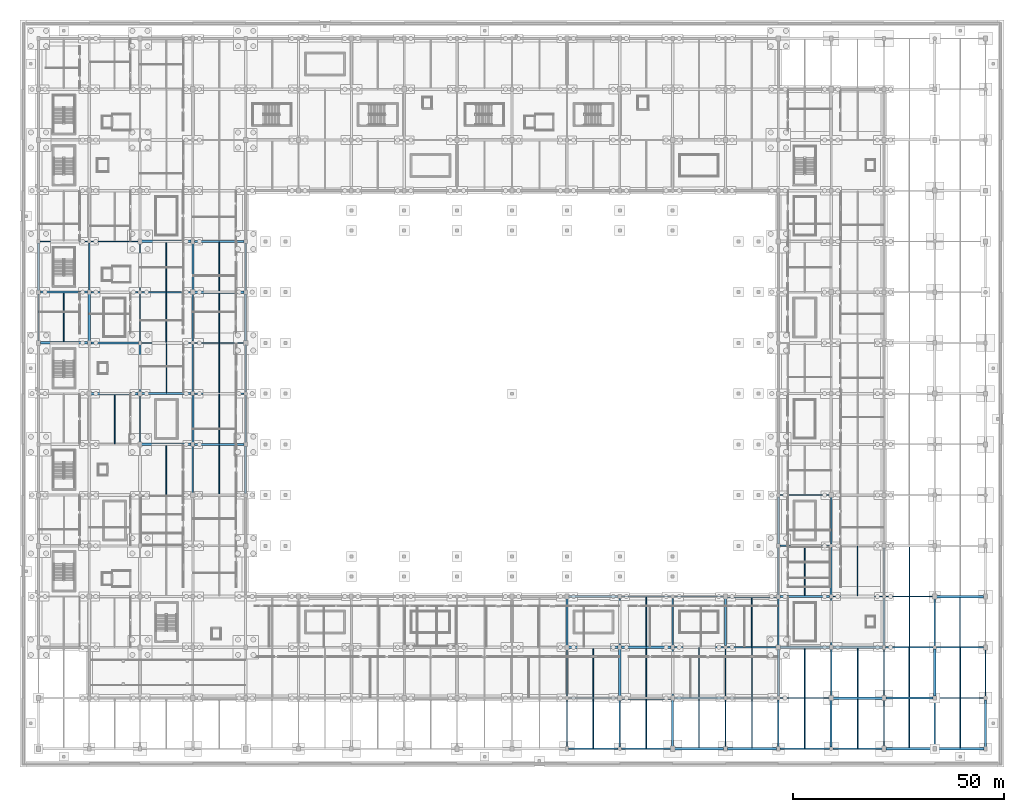
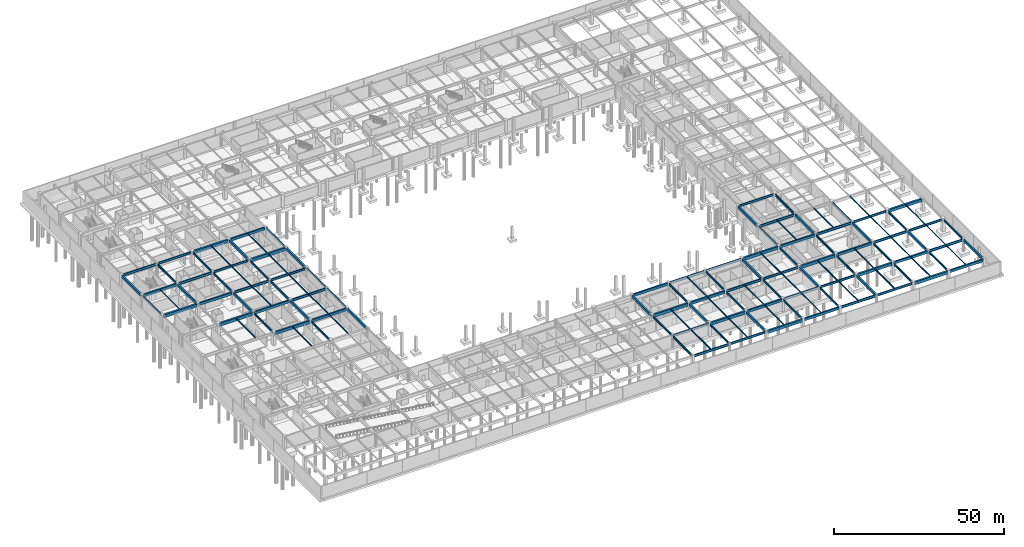
# One storey, part 17 of 56: 134 beams.
"""IFC4 building model written with IfcOpenShell, lengths in metres."""

from ifc_helpers import new_model, si_unit, direction, frame, origin, origin_2d, place, context, subcontext, project, spatial, rectangle, i_section, extrude, material, material_profile, profile_set, type_object, element, save


model = new_model("IFC4")

# Units and contexts
model_context = context("Model", 3, precision=1e-05, world=origin(), true_north=direction((0.0, 1.0)))
body_context = subcontext(model_context, "Body", "Model", "MODEL_VIEW")
ifc_project = project(units=[si_unit("LENGTHUNIT", "METRE"), si_unit("AREAUNIT", "SQUARE_METRE"), si_unit("VOLUMEUNIT", "CUBIC_METRE"), si_unit("PLANEANGLEUNIT", "RADIAN"), si_unit("MASSUNIT", "GRAM", prefix="KILO")], contexts=[model_context])

# Site, building, storey
site_placement = place(None, origin())
site = spatial("IfcSite", under=ifc_project, at=site_placement, CompositionType="ELEMENT")
building_placement = place(site_placement, origin())
building = spatial("IfcBuilding", under=site, at=building_placement, Name="Kazenohara Klinker Stadium", CompositionType="ELEMENT")
storey_placement = place(building_placement, frame((0.0, 0.0, -4.800048828125)))
storey = spatial("IfcBuildingStorey", under=building, at=storey_placement, Name="B01", CompositionType="ELEMENT", Elevation=-4.800048828125)

# Beams
ifc_material_1 = material(Name="Steel S355", Category="steel")
ifc_material_profile_1 = material_profile(ifc_material_1, i_section(OverallWidth=0.199951171875, OverallDepth=0.5, WebThickness=0.010009765625, FlangeThickness=0.01611328125, FilletRadius=0.012939453125, at=origin_2d()), Name="H-500x200x10x16")
ifc_profile_set_1 = profile_set([ifc_material_profile_1], Name="Steel S355")
beam_type_1 = type_object("IfcBeamType", Name="BM-JST01", PredefinedType="JOIST", material=ifc_profile_set_1)
for number, where, z_axis, x_axis, name in (
    (1, (30.25, 96.14990234375, 4.2099609375), (0.0, 1.0, 0.0), (-1.0, 0.0, 0.0), "Secondary floor joist SJ01 B01 3/J"),
    (2, (42.75, 84.14990234375, 4.2099609375), (0.0, 1.0, 0.0), (-1.0, 0.0, 0.0), "Secondary floor joist SJ01 B01 4/H"),
    (3, (131.25, 0.14990234375, 4.2099609375), (0.0, 1.0, 0.0), (-1.0, 0.0, 0.0), "Secondary floor joist SJ01 B01 11/A"),
):
    element("IfcBeam", number, at=place(storey_placement, frame(where, z_axis=z_axis, x_axis=x_axis)), inside=storey, type_object=beam_type_1, Name=name, PredefinedType="JOIST", context=body_context, shape_type="SweptSolid", body=[
        extrude(i_section(OverallWidth=0.199951171875, OverallDepth=0.5, WebThickness=0.010009765625, FlangeThickness=0.01611328125, FilletRadius=0.012939453125, at=origin_2d()), origin(), (0.0, 0.0, 1.0), 11.7001953125),
    ])
for number, where, z_axis, x_axis, name in (
    (4, (168.75, 24.14990234375, 4.2099609375), (0.0, 1.0, 0.0), (-1.0, 0.0, 0.0), "Secondary floor joist SJ01 B01 14/C"),
    (5, (181.25, 12.14990234375, 4.2099609375), (0.0, 1.0, 0.0), (-1.0, 0.0, 0.0), "Secondary floor joist SJ01 B01 15/B"),
    (6, (193.75, 0.14990234375, 4.2099609375), (0.0, 1.0, 0.0), (-1.0, 0.0, 0.0), "Secondary floor joist SJ01 B01 16/A"),
):
    element("IfcBeam", number, at=place(storey_placement, frame(where, z_axis=z_axis, x_axis=x_axis)), inside=storey, type_object=beam_type_1, Name=name, PredefinedType="JOIST", context=body_context, shape_type="SweptSolid", body=[
        extrude(i_section(OverallWidth=0.199951171875, OverallDepth=0.5, WebThickness=0.010009765625, FlangeThickness=0.01611328125, FilletRadius=0.012939453125, at=origin_2d()), origin(), (0.0, 0.0, 1.0), 11.550048828125),
    ])
ifc_material_profile_2 = material_profile(ifc_material_1, i_section(OverallWidth=0.199951171875, OverallDepth=0.449951171875, WebThickness=0.009033203125, FlangeThickness=0.013916015625, FilletRadius=0.012939453125, at=origin_2d()), Name="H-450x200x9x14")
ifc_profile_set_2 = profile_set([ifc_material_profile_2], Name="Steel S355")
beam_type_2 = type_object("IfcBeamType", Name="BM-JST02", PredefinedType="JOIST", material=ifc_profile_set_2)
for number, where, z_axis, x_axis, name in (
    (7, (30.25, 108.14990234375, 4.235107421875), (0.0, 1.0, 0.0), (-1.0, 0.0, 0.0), "Secondary floor joist SJ02 B01 3/K"),
    (8, (42.75, 96.14990234375, 4.235107421875), (0.0, 1.0, 0.0), (-1.0, 0.0, 0.0), "Secondary floor joist SJ02 B01 4/J"),
    (9, (131.25, 12.14990234375, 4.235107421875), (0.0, 1.0, 0.0), (-1.0, 0.0, 0.0), "Secondary floor joist SJ02 B01 11/B"),
    (10, (143.75, 0.14990234375, 4.235107421875), (0.0, 1.0, 0.0), (-1.0, 0.0, 0.0), "Secondary floor joist SJ02 B01 12/A"),
):
    element("IfcBeam", number, at=place(storey_placement, frame(where, z_axis=z_axis, x_axis=x_axis)), inside=storey, type_object=beam_type_2, Name=name, PredefinedType="JOIST", context=body_context, shape_type="SweptSolid", body=[
        extrude(i_section(OverallWidth=0.199951171875, OverallDepth=0.449951171875, WebThickness=0.009033203125, FlangeThickness=0.013916015625, FilletRadius=0.012939453125, at=origin_2d()), origin(), (0.0, 0.0, 1.0), 11.550048828125),
    ])
for number, where, z_axis, x_axis, name in (
    (11, (193.75, 12.300048828125, 4.235107421875), (0.0, 1.0, 0.0), (-1.0, 0.0, 0.0), "Secondary floor joist SJ02 B01 16/B"),
    (12, (206.0, 0.300048828125, 4.235107421875), (0.0, 1.0, 0.0), (-1.0, 0.0, 0.0), "Secondary floor joist SJ02 B01 17/A"),
):
    element("IfcBeam", number, at=place(storey_placement, frame(where, z_axis=z_axis, x_axis=x_axis)), inside=storey, type_object=beam_type_2, Name=name, PredefinedType="JOIST", context=body_context, shape_type="SweptSolid", body=[
        extrude(i_section(OverallWidth=0.199951171875, OverallDepth=0.449951171875, WebThickness=0.009033203125, FlangeThickness=0.013916015625, FilletRadius=0.012939453125, at=origin_2d()), origin(), (0.0, 0.0, 1.0), 11.449951171875),
    ])
ifc_material_profile_3 = material_profile(ifc_material_1, i_section(OverallWidth=0.199951171875, OverallDepth=0.39990234375, WebThickness=0.008056640625, FlangeThickness=0.012939453125, FilletRadius=0.012939453125, at=origin_2d()), Name="H-400x200x8x13")
ifc_profile_set_3 = profile_set([ifc_material_profile_3], Name="Steel S355")
beam_type_3 = type_object("IfcBeamType", Name="BM-JST03", PredefinedType="JOIST", material=ifc_profile_set_3)
for number, where, z_axis, x_axis, name in (
    (13, (18.0, 72.14990234375, 4.260009765625), (0.0, 1.0, 0.0), (-1.0, 0.0, 0.0), "Secondary floor joist SJ03 B01 2/G"),
    (14, (30.25, 60.14990234375, 4.260009765625), (0.0, 1.0, 0.0), (-1.0, 0.0, 0.0), "Secondary floor joist SJ03 B01 3/F"),
):
    element("IfcBeam", number, at=place(storey_placement, frame(where, z_axis=z_axis, x_axis=x_axis)), inside=storey, type_object=beam_type_3, Name=name, PredefinedType="JOIST", context=body_context, shape_type="SweptSolid", body=[
        extrude(i_section(OverallWidth=0.199951171875, OverallDepth=0.39990234375, WebThickness=0.008056640625, FlangeThickness=0.012939453125, FilletRadius=0.012939453125, at=origin_2d()), origin(), (0.0, 0.0, 1.0), 11.550048828125),
    ])
for number, where, z_axis, x_axis, name in (
    (15, (42.75, 108.300048828125, 4.260009765625), (0.0, 1.0, 0.0), (-1.0, 0.0, 0.0), "Secondary floor joist SJ03 B01 4/K"),
    (16, (143.75, 12.300048828125, 4.260009765625), (0.0, 1.0, 0.0), (-1.0, 0.0, 0.0), "Secondary floor joist SJ03 B01 12/B"),
    (17, (156.25, 0.300048828125, 4.260009765625), (0.0, 1.0, 0.0), (-1.0, 0.0, 0.0), "Secondary floor joist SJ03 B01 13/A"),
):
    element("IfcBeam", number, at=place(storey_placement, frame(where, z_axis=z_axis, x_axis=x_axis)), inside=storey, type_object=beam_type_3, Name=name, PredefinedType="JOIST", context=body_context, shape_type="SweptSolid", body=[
        extrude(i_section(OverallWidth=0.199951171875, OverallDepth=0.39990234375, WebThickness=0.008056640625, FlangeThickness=0.012939453125, FilletRadius=0.012939453125, at=origin_2d()), origin(), (0.0, 0.0, 1.0), 11.449951171875),
    ])
for number, where, z_axis, x_axis, name in (
    (18, (181.25, 36.25, 4.260009765625), (0.0, 1.0, 0.0), (-1.0, 0.0, 0.0), "Secondary floor joist SJ03 B01 15/D"),
    (19, (206.0, 12.25, 4.260009765625), (0.0, 1.0, 0.0), (-1.0, 0.0, 0.0), "Secondary floor joist SJ03 B01 17/B"),
    (20, (218.0, 0.25, 4.260009765625), (0.0, 1.0, 0.0), (-1.0, 0.0, 0.0), "Secondary floor joist SJ03 B01 18/A"),
):
    element("IfcBeam", number, at=place(storey_placement, frame(where, z_axis=z_axis, x_axis=x_axis)), inside=storey, type_object=beam_type_3, Name=name, PredefinedType="JOIST", context=body_context, shape_type="SweptSolid", body=[
        extrude(i_section(OverallWidth=0.199951171875, OverallDepth=0.39990234375, WebThickness=0.008056640625, FlangeThickness=0.012939453125, FilletRadius=0.012939453125, at=origin_2d()), origin(), (0.0, 0.0, 1.0), 11.60009765625),
    ])
ifc_material_profile_4 = material_profile(ifc_material_1, i_section(OverallWidth=0.175048828125, OverallDepth=0.35009765625, WebThickness=0.007080078125, FlangeThickness=0.010986328125, FilletRadius=0.012939453125, at=origin_2d()), Name="H-350x175x7x11")
ifc_profile_set_4 = profile_set([ifc_material_profile_4], Name="Steel S355")
beam_type_4 = type_object("IfcBeamType", Name="BM-JST04", PredefinedType="JOIST", material=ifc_profile_set_4)
for number, where, z_axis, x_axis, name in (
    (21, (6.0, 96.300048828125, 4.28515625), (0.0, 1.0, 0.0), (-1.0, 0.0, 0.0), "Secondary floor joist SJ04 B01 1/J"),
    (22, (42.75, 60.300048828125, 4.28515625), (0.0, 1.0, 0.0), (-1.0, 0.0, 0.0), "Secondary floor joist SJ04 B01 4/F"),
):
    element("IfcBeam", number, at=place(storey_placement, frame(where, z_axis=z_axis, x_axis=x_axis)), inside=storey, type_object=beam_type_4, Name=name, PredefinedType="JOIST", context=body_context, shape_type="SweptSolid", body=[
        extrude(i_section(OverallWidth=0.175048828125, OverallDepth=0.35009765625, WebThickness=0.007080078125, FlangeThickness=0.010986328125, FilletRadius=0.012939453125, at=origin_2d()), origin(), (0.0, 0.0, 1.0), 11.449951171875),
    ])
for number, where, z_axis, x_axis, name in (
    (23, (143.75, 24.25, 4.28515625), (0.0, 1.0, 0.0), (-1.0, 0.0, 0.0), "Secondary floor joist SJ04 B01 12/C"),
    (24, (156.25, 12.25, 4.28515625), (0.0, 1.0, 0.0), (-1.0, 0.0, 0.0), "Secondary floor joist SJ04 B01 13/B"),
    (25, (168.75, 0.25, 4.28515625), (0.0, 1.0, 0.0), (-1.0, 0.0, 0.0), "Secondary floor joist SJ04 B01 14/A"),
):
    element("IfcBeam", number, at=place(storey_placement, frame(where, z_axis=z_axis, x_axis=x_axis)), inside=storey, type_object=beam_type_4, Name=name, PredefinedType="JOIST", context=body_context, shape_type="SweptSolid", body=[
        extrude(i_section(OverallWidth=0.175048828125, OverallDepth=0.35009765625, WebThickness=0.007080078125, FlangeThickness=0.010986328125, FilletRadius=0.012939453125, at=origin_2d()), origin(), (0.0, 0.0, 1.0), 11.60009765625),
    ])
for number, where, z_axis, x_axis, name in (
    (26, (193.75, 36.14990234375, 4.28515625), (0.0, 1.0, 0.0), (-1.0, 0.0, 0.0), "Secondary floor joist SJ04 B01 16/D"),
    (27, (206.0, 24.14990234375, 4.28515625), (0.0, 1.0, 0.0), (-1.0, 0.0, 0.0), "Secondary floor joist SJ04 B01 17/C"),
    (28, (218.0, 12.14990234375, 4.28515625), (0.0, 1.0, 0.0), (-1.0, 0.0, 0.0), "Secondary floor joist SJ04 B01 18/B"),
):
    element("IfcBeam", number, at=place(storey_placement, frame(where, z_axis=z_axis, x_axis=x_axis)), inside=storey, type_object=beam_type_4, Name=name, PredefinedType="JOIST", context=body_context, shape_type="SweptSolid", body=[
        extrude(i_section(OverallWidth=0.175048828125, OverallDepth=0.35009765625, WebThickness=0.007080078125, FlangeThickness=0.010986328125, FilletRadius=0.012939453125, at=origin_2d()), origin(), (0.0, 0.0, 1.0), 11.7001953125),
    ])
ifc_material_profile_5 = material_profile(ifc_material_1, i_section(OverallWidth=0.14990234375, OverallDepth=0.300048828125, WebThickness=0.006591796875, FlangeThickness=0.009033203125, FilletRadius=0.012939453125, at=origin_2d()), Name="H-300x150x6.5x9")
ifc_profile_set_5 = profile_set([ifc_material_profile_5], Name="Steel S355")
beam_type_5 = type_object("IfcBeamType", Name="BM-JST05", PredefinedType="JOIST", material=ifc_profile_set_5)
for number, where, z_axis, x_axis, name in (
    (29, (30.25, 84.25, 4.31005859375), (0.0, 1.0, 0.0), (-1.0, 0.0, 0.0), "Secondary floor joist SJ05 B01 3/H"),
    (30, (42.75, 72.25, 4.31005859375), (0.0, 1.0, 0.0), (-1.0, 0.0, 0.0), "Secondary floor joist SJ05 B01 4/G"),
):
    element("IfcBeam", number, at=place(storey_placement, frame(where, z_axis=z_axis, x_axis=x_axis)), inside=storey, type_object=beam_type_5, Name=name, PredefinedType="JOIST", context=body_context, shape_type="SweptSolid", body=[
        extrude(i_section(OverallWidth=0.14990234375, OverallDepth=0.300048828125, WebThickness=0.006591796875, FlangeThickness=0.009033203125, FilletRadius=0.012939453125, at=origin_2d()), origin(), (0.0, 0.0, 1.0), 11.60009765625),
    ])
for number, where, z_axis, x_axis, name in (
    (31, (168.75, 12.14990234375, 4.31005859375), (0.0, 1.0, 0.0), (-1.0, 0.0, 0.0), "Secondary floor joist SJ05 B01 14/B"),
    (32, (181.25, 0.14990234375, 4.31005859375), (0.0, 1.0, 0.0), (-1.0, 0.0, 0.0), "Secondary floor joist SJ05 B01 15/A"),
):
    element("IfcBeam", number, at=place(storey_placement, frame(where, z_axis=z_axis, x_axis=x_axis)), inside=storey, type_object=beam_type_5, Name=name, PredefinedType="JOIST", context=body_context, shape_type="SweptSolid", body=[
        extrude(i_section(OverallWidth=0.14990234375, OverallDepth=0.300048828125, WebThickness=0.006591796875, FlangeThickness=0.009033203125, FilletRadius=0.012939453125, at=origin_2d()), origin(), (0.0, 0.0, 1.0), 11.7001953125),
    ])
for number, where, z_axis, x_axis, name in (
    (33, (206.0, 36.14990234375, 4.31005859375), (0.0, 1.0, 0.0), (-1.0, 0.0, 0.0), "Secondary floor joist SJ05 B01 17/D"),
    (34, (218.0, 24.14990234375, 4.31005859375), (0.0, 1.0, 0.0), (-1.0, 0.0, 0.0), "Secondary floor joist SJ05 B01 18/C"),
):
    element("IfcBeam", number, at=place(storey_placement, frame(where, z_axis=z_axis, x_axis=x_axis)), inside=storey, type_object=beam_type_5, Name=name, PredefinedType="JOIST", context=body_context, shape_type="SweptSolid", body=[
        extrude(i_section(OverallWidth=0.14990234375, OverallDepth=0.300048828125, WebThickness=0.006591796875, FlangeThickness=0.009033203125, FilletRadius=0.012939453125, at=origin_2d()), origin(), (0.0, 0.0, 1.0), 11.550048828125),
    ])
ifc_material_2 = material(Name="Concrete C40/50", Category="concrete")
ifc_material_profile_6 = material_profile(ifc_material_2, rectangle(XDim=0.60009765625, YDim=1.050048828125, at=origin_2d()), Name="RC-BM-600x1050")
ifc_profile_set_6 = profile_set([ifc_material_profile_6], Name="Concrete C40/50")
beam_type_6 = type_object("IfcBeamType", Name="BM-RC01", PredefinedType="BEAM", material=ifc_profile_set_6)
for number, where, z_axis, x_axis, name in (
    (35, (0.419921875, 96.0, 3.93505859375), (1.0, 0.0, 0.0), (0.0, 1.0, 0.0), "Primary girder BG01 B01 1-2/J"),
    (36, (12.419921875, 84.0, 3.93505859375), (1.0, 0.0, 0.0), (0.0, 1.0, 0.0), "Primary girder BG01 B01 2-3/H"),
):
    element("IfcBeam", number, at=place(storey_placement, frame(where, z_axis=z_axis, x_axis=x_axis)), inside=storey, type_object=beam_type_6, Name=name, PredefinedType="BEAM", context=body_context, shape_type="SweptSolid", body=[
        extrude(rectangle(XDim=0.60009765625, YDim=1.050048828125, at=origin_2d()), origin(), (0.0, 0.0, 1.0), 11.16015625),
    ])
for number, where, z_axis, x_axis, name in (
    (37, (24.419921875, 72.0, 3.93505859375), (1.0, 0.0, 0.0), (0.0, 1.0, 0.0), "Primary girder BG01 B01 3-4/G"),
    (38, (24.419921875, 120.0, 3.93505859375), (1.0, 0.0, 0.0), (0.0, 1.0, 0.0), "Primary girder BG01 B01 3-4/L"),
    (39, (36.919921875, 108.0, 3.93505859375), (1.0, 0.0, 0.0), (0.0, 1.0, 0.0), "Primary girder BG01 B01 4-5/K"),
    (40, (125.419921875, 24.0, 3.93505859375), (1.0, 0.0, 0.0), (0.0, 1.0, 0.0), "Primary girder BG01 B01 11-12/C"),
    (41, (137.919921875, 12.0, 3.93505859375), (1.0, 0.0, 0.0), (0.0, 1.0, 0.0), "Primary girder BG01 B01 12-13/B"),
    (42, (150.419921875, 0.0, 3.93505859375), (1.0, 0.0, 0.0), (0.0, 1.0, 0.0), "Primary girder BG01 B01 13-14/A"),
    (43, (162.919921875, 36.0, 3.93505859375), (1.0, 0.0, 0.0), (0.0, 1.0, 0.0), "Primary girder BG01 B01 14-15/D"),
    (44, (175.419921875, 24.0, 3.93505859375), (1.0, 0.0, 0.0), (0.0, 1.0, 0.0), "Primary girder BG01 B01 15-16/C"),
    (45, (187.919921875, 12.0, 3.93505859375), (1.0, 0.0, 0.0), (0.0, 1.0, 0.0), "Primary girder BG01 B01 16-17/B"),
):
    element("IfcBeam", number, at=place(storey_placement, frame(where, z_axis=z_axis, x_axis=x_axis)), inside=storey, type_object=beam_type_6, Name=name, PredefinedType="BEAM", context=body_context, shape_type="SweptSolid", body=[
        extrude(rectangle(XDim=0.60009765625, YDim=1.050048828125, at=origin_2d()), origin(), (0.0, 0.0, 1.0), 11.66015625),
    ])
for number, where, z_axis, x_axis, name in (
    (46, (200.419921875, 0.0, 3.93505859375), (1.0, 0.0, 0.0), (0.0, 1.0, 0.0), "Primary girder BG01 B01 17-18/A"),
    (47, (212.419921875, 36.0, 3.93505859375), (1.0, 0.0, 0.0), (0.0, 1.0, 0.0), "Primary girder BG01 B01 18-19/D"),
):
    element("IfcBeam", number, at=place(storey_placement, frame(where, z_axis=z_axis, x_axis=x_axis)), inside=storey, type_object=beam_type_6, Name=name, PredefinedType="BEAM", context=body_context, shape_type="SweptSolid", body=[
        extrude(rectangle(XDim=0.60009765625, YDim=1.050048828125, at=origin_2d()), origin(), (0.0, 0.0, 1.0), 11.16015625),
    ])
ifc_material_profile_7 = material_profile(ifc_material_2, rectangle(XDim=0.5, YDim=0.89990234375, at=origin_2d()), Name="RC-BM-500x900")
ifc_profile_set_7 = profile_set([ifc_material_profile_7], Name="Concrete C40/50")
beam_type_7 = type_object("IfcBeamType", Name="BM-RC02", PredefinedType="BEAM", material=ifc_profile_set_7)
for number, where, z_axis, x_axis, name in (
    (48, (0.419921875, 108.0, 4.010009765625), (1.0, 0.0, 0.0), (0.0, 1.0, 0.0), "Primary girder BG02 B01 1-2/K"),
    (49, (12.419921875, 96.0, 4.010009765625), (1.0, 0.0, 0.0), (0.0, 1.0, 0.0), "Primary girder BG02 B01 2-3/J"),
):
    element("IfcBeam", number, at=place(storey_placement, frame(where, z_axis=z_axis, x_axis=x_axis)), inside=storey, type_object=beam_type_7, Name=name, PredefinedType="BEAM", context=body_context, shape_type="SweptSolid", body=[
        extrude(rectangle(XDim=0.5, YDim=0.89990234375, at=origin_2d()), origin(), (0.0, 0.0, 1.0), 11.18017578125),
    ])
for number, where, z_axis, x_axis, name in (
    (50, (24.419921875, 84.0, 4.010009765625), (1.0, 0.0, 0.0), (0.0, 1.0, 0.0), "Primary girder BG02 B01 3-4/H"),
    (51, (36.919921875, 72.0, 4.010009765625), (1.0, 0.0, 0.0), (0.0, 1.0, 0.0), "Primary girder BG02 B01 4-5/G"),
    (52, (36.919921875, 120.0, 4.010009765625), (1.0, 0.0, 0.0), (0.0, 1.0, 0.0), "Primary girder BG02 B01 4-5/L"),
    (53, (125.419921875, 36.0, 4.010009765625), (1.0, 0.0, 0.0), (0.0, 1.0, 0.0), "Primary girder BG02 B01 11-12/D"),
    (54, (137.919921875, 24.0, 4.010009765625), (1.0, 0.0, 0.0), (0.0, 1.0, 0.0), "Primary girder BG02 B01 12-13/C"),
    (55, (150.419921875, 12.0, 4.010009765625), (1.0, 0.0, 0.0), (0.0, 1.0, 0.0), "Primary girder BG02 B01 13-14/B"),
    (56, (162.919921875, 0.0, 4.010009765625), (1.0, 0.0, 0.0), (0.0, 1.0, 0.0), "Primary girder BG02 B01 14-15/A"),
    (57, (175.419921875, 36.0, 4.010009765625), (1.0, 0.0, 0.0), (0.0, 1.0, 0.0), "Primary girder BG02 B01 15-16/D"),
    (58, (187.919921875, 24.0, 4.010009765625), (1.0, 0.0, 0.0), (0.0, 1.0, 0.0), "Primary girder BG02 B01 16-17/C"),
):
    element("IfcBeam", number, at=place(storey_placement, frame(where, z_axis=z_axis, x_axis=x_axis)), inside=storey, type_object=beam_type_7, Name=name, PredefinedType="BEAM", context=body_context, shape_type="SweptSolid", body=[
        extrude(rectangle(XDim=0.5, YDim=0.89990234375, at=origin_2d()), origin(), (0.0, 0.0, 1.0), 11.68017578125),
    ])
for number, where, z_axis, x_axis, name in (
    (59, (200.419921875, 12.0, 4.010009765625), (1.0, 0.0, 0.0), (0.0, 1.0, 0.0), "Primary girder BG02 B01 17-18/B"),
    (60, (212.419921875, 0.0, 4.010009765625), (1.0, 0.0, 0.0), (0.0, 1.0, 0.0), "Primary girder BG02 B01 18-19/A"),
):
    element("IfcBeam", number, at=place(storey_placement, frame(where, z_axis=z_axis, x_axis=x_axis)), inside=storey, type_object=beam_type_7, Name=name, PredefinedType="BEAM", context=body_context, shape_type="SweptSolid", body=[
        extrude(rectangle(XDim=0.5, YDim=0.89990234375, at=origin_2d()), origin(), (0.0, 0.0, 1.0), 11.18017578125),
    ])
for number, where, z_axis, x_axis, name in (
    (61, (0.0, 108.419921875, 4.010009765625), (0.0, 1.0, 0.0), (-1.0, 0.0, 0.0), "Primary girder BG02 B01 1/K-L"),
    (62, (12.0, 96.419921875, 4.010009765625), (0.0, 1.0, 0.0), (-1.0, 0.0, 0.0), "Primary girder BG02 B01 2/J-K"),
    (63, (24.0, 84.419921875, 4.010009765625), (0.0, 1.0, 0.0), (-1.0, 0.0, 0.0), "Primary girder BG02 B01 3/H-J"),
    (64, (36.5, 72.419921875, 4.010009765625), (0.0, 1.0, 0.0), (-1.0, 0.0, 0.0), "Primary girder BG02 B01 4/G-H"),
    (65, (36.5, 108.419921875, 4.010009765625), (0.0, 1.0, 0.0), (-1.0, 0.0, 0.0), "Primary girder BG02 B01 4/K-L"),
    (66, (49.0, 60.419921875, 4.010009765625), (0.0, 1.0, 0.0), (-1.0, 0.0, 0.0), "Primary girder BG02 B01 5/F-G"),
    (67, (49.0, 96.419921875, 4.010009765625), (0.0, 1.0, 0.0), (-1.0, 0.0, 0.0), "Primary girder BG02 B01 5/J-K"),
    (68, (125.0, 24.419921875, 4.010009765625), (0.0, 1.0, 0.0), (-1.0, 0.0, 0.0), "Primary girder BG02 B01 11/C-D"),
    (69, (137.5, 12.419921875, 4.010009765625), (0.0, 1.0, 0.0), (-1.0, 0.0, 0.0), "Primary girder BG02 B01 12/B-C"),
    (70, (150.0, 0.419921875, 4.010009765625), (0.0, 1.0, 0.0), (-1.0, 0.0, 0.0), "Primary girder BG02 B01 13/A-B"),
    (71, (162.5, 24.419921875, 4.010009765625), (0.0, 1.0, 0.0), (-1.0, 0.0, 0.0), "Primary girder BG02 B01 14/C-D"),
    (72, (175.0, 12.419921875, 4.010009765625), (0.0, 1.0, 0.0), (-1.0, 0.0, 0.0), "Primary girder BG02 B01 15/B-C"),
    (73, (175.0, 48.419921875, 4.010009765625), (0.0, 1.0, 0.0), (-1.0, 0.0, 0.0), "Primary girder BG02 B01 15/E-F"),
    (74, (187.5, 0.419921875, 4.010009765625), (0.0, 1.0, 0.0), (-1.0, 0.0, 0.0), "Primary girder BG02 B01 16/A-B"),
    (75, (187.5, 36.419921875, 4.010009765625), (0.0, 1.0, 0.0), (-1.0, 0.0, 0.0), "Primary girder BG02 B01 16/D-E"),
    (76, (200.0, 24.419921875, 4.010009765625), (0.0, 1.0, 0.0), (-1.0, 0.0, 0.0), "Primary girder BG02 B01 17/C-D"),
    (77, (212.0, 12.419921875, 4.010009765625), (0.0, 1.0, 0.0), (-1.0, 0.0, 0.0), "Primary girder BG02 B01 18/B-C"),
    (78, (224.0, 0.419921875, 4.010009765625), (0.0, 1.0, 0.0), (-1.0, 0.0, 0.0), "Primary girder BG02 B01 19/A-B"),
):
    element("IfcBeam", number, at=place(storey_placement, frame(where, z_axis=z_axis, x_axis=x_axis)), inside=storey, type_object=beam_type_7, Name=name, PredefinedType="BEAM", context=body_context, shape_type="SweptSolid", body=[
        extrude(rectangle(XDim=0.5, YDim=0.89990234375, at=origin_2d()), origin(), (0.0, 0.0, 1.0), 11.16015625),
    ])
ifc_material_profile_8 = material_profile(ifc_material_1, i_section(OverallWidth=0.300048828125, OverallDepth=0.89990234375, WebThickness=0.01611328125, FlangeThickness=0.028076171875, FilletRadius=0.02197265625, at=origin_2d()), Name="H-900x300x16x28")
ifc_profile_set_8 = profile_set([ifc_material_profile_8], Name="Steel S355")
beam_type_8 = type_object("IfcBeamType", Name="BM-ST01", PredefinedType="BEAM", material=ifc_profile_set_8)
for number, where, z_axis, x_axis, name in (
    (79, (0.39990234375, 120.0, 4.010009765625), (1.0, 0.0, 0.0), (0.0, 1.0, 0.0), "Primary girder SB01 B01 1-2/L"),
    (80, (12.39990234375, 108.0, 4.010009765625), (1.0, 0.0, 0.0), (0.0, 1.0, 0.0), "Primary girder SB01 B01 2-3/K"),
):
    element("IfcBeam", number, at=place(storey_placement, frame(where, z_axis=z_axis, x_axis=x_axis)), inside=storey, type_object=beam_type_8, Name=name, PredefinedType="BEAM", context=body_context, shape_type="SweptSolid", body=[
        extrude(i_section(OverallWidth=0.300048828125, OverallDepth=0.89990234375, WebThickness=0.01611328125, FlangeThickness=0.028076171875, FilletRadius=0.02197265625, at=origin_2d()), origin(), (0.0, 0.0, 1.0), 11.18017578125),
    ])
for number, where, z_axis, x_axis, name in (
    (81, (24.39990234375, 96.0, 4.010009765625), (1.0, 0.0, 0.0), (0.0, 1.0, 0.0), "Primary girder SB01 B01 3-4/J"),
    (82, (36.89990234375, 84.0, 4.010009765625), (1.0, 0.0, 0.0), (0.0, 1.0, 0.0), "Primary girder SB01 B01 4-5/H"),
    (83, (125.39990234375, 0.0, 4.010009765625), (1.0, 0.0, 0.0), (0.0, 1.0, 0.0), "Primary girder SB01 B01 11-12/A"),
    (84, (137.89990234375, 36.0, 4.010009765625), (1.0, 0.0, 0.0), (0.0, 1.0, 0.0), "Primary girder SB01 B01 12-13/D"),
    (85, (150.39990234375, 24.0, 4.010009765625), (1.0, 0.0, 0.0), (0.0, 1.0, 0.0), "Primary girder SB01 B01 13-14/C"),
    (86, (162.89990234375, 12.0, 4.010009765625), (1.0, 0.0, 0.0), (0.0, 1.0, 0.0), "Primary girder SB01 B01 14-15/B"),
    (87, (175.39990234375, 0.0, 4.010009765625), (1.0, 0.0, 0.0), (0.0, 1.0, 0.0), "Primary girder SB01 B01 15-16/A"),
    (88, (175.39990234375, 48.0, 4.010009765625), (1.0, 0.0, 0.0), (0.0, 1.0, 0.0), "Primary girder SB01 B01 15-16/E"),
    (89, (187.89990234375, 36.0, 4.010009765625), (1.0, 0.0, 0.0), (0.0, 1.0, 0.0), "Primary girder SB01 B01 16-17/D"),
):
    element("IfcBeam", number, at=place(storey_placement, frame(where, z_axis=z_axis, x_axis=x_axis)), inside=storey, type_object=beam_type_8, Name=name, PredefinedType="BEAM", context=body_context, shape_type="SweptSolid", body=[
        extrude(i_section(OverallWidth=0.300048828125, OverallDepth=0.89990234375, WebThickness=0.01611328125, FlangeThickness=0.028076171875, FilletRadius=0.02197265625, at=origin_2d()), origin(), (0.0, 0.0, 1.0), 11.68017578125),
    ])
for number, where, z_axis, x_axis, name in (
    (90, (200.39990234375, 24.0, 4.010009765625), (1.0, 0.0, 0.0), (0.0, 1.0, 0.0), "Primary girder SB01 B01 17-18/C"),
    (91, (212.39990234375, 12.0, 4.010009765625), (1.0, 0.0, 0.0), (0.0, 1.0, 0.0), "Primary girder SB01 B01 18-19/B"),
):
    element("IfcBeam", number, at=place(storey_placement, frame(where, z_axis=z_axis, x_axis=x_axis)), inside=storey, type_object=beam_type_8, Name=name, PredefinedType="BEAM", context=body_context, shape_type="SweptSolid", body=[
        extrude(i_section(OverallWidth=0.300048828125, OverallDepth=0.89990234375, WebThickness=0.01611328125, FlangeThickness=0.028076171875, FilletRadius=0.02197265625, at=origin_2d()), origin(), (0.0, 0.0, 1.0), 11.18017578125),
    ])
ifc_material_profile_9 = material_profile(ifc_material_1, i_section(OverallWidth=0.300048828125, OverallDepth=0.800048828125, WebThickness=0.013916015625, FlangeThickness=0.02587890625, FilletRadius=0.02197265625, at=origin_2d()), Name="H-800x300x14x26")
ifc_profile_set_9 = profile_set([ifc_material_profile_9], Name="Steel S355")
beam_type_9 = type_object("IfcBeamType", Name="BM-ST02", PredefinedType="BEAM", material=ifc_profile_set_9)
beam_placement = place(storey_placement, frame((12.419921875, 120.0, 4.06005859375), z_axis=(1.0, 0.0, 0.0), x_axis=(0.0, 1.0, 0.0)))
element("IfcBeam", 92, at=beam_placement, inside=storey, type_object=beam_type_9, Name="Primary girder SB02 B01 2-3/L", PredefinedType="BEAM", context=body_context, shape_type="SweptSolid", body=[
    extrude(i_section(OverallWidth=0.300048828125, OverallDepth=0.800048828125, WebThickness=0.013916015625, FlangeThickness=0.02587890625, FilletRadius=0.02197265625, at=origin_2d()), origin(), (0.0, 0.0, 1.0), 11.16015625),
])
for number, where, z_axis, x_axis, name in (
    (93, (24.419921875, 108.0, 4.06005859375), (1.0, 0.0, 0.0), (0.0, 1.0, 0.0), "Primary girder SB02 B01 3-4/K"),
    (94, (36.919921875, 96.0, 4.06005859375), (1.0, 0.0, 0.0), (0.0, 1.0, 0.0), "Primary girder SB02 B01 4-5/J"),
    (95, (125.419921875, 12.0, 4.06005859375), (1.0, 0.0, 0.0), (0.0, 1.0, 0.0), "Primary girder SB02 B01 11-12/B"),
    (96, (137.919921875, 0.0, 4.06005859375), (1.0, 0.0, 0.0), (0.0, 1.0, 0.0), "Primary girder SB02 B01 12-13/A"),
    (97, (150.419921875, 36.0, 4.06005859375), (1.0, 0.0, 0.0), (0.0, 1.0, 0.0), "Primary girder SB02 B01 13-14/D"),
    (98, (162.919921875, 24.0, 4.06005859375), (1.0, 0.0, 0.0), (0.0, 1.0, 0.0), "Primary girder SB02 B01 14-15/C"),
    (99, (175.419921875, 12.0, 4.06005859375), (1.0, 0.0, 0.0), (0.0, 1.0, 0.0), "Primary girder SB02 B01 15-16/B"),
    (100, (175.419921875, 60.0, 4.06005859375), (1.0, 0.0, 0.0), (0.0, 1.0, 0.0), "Primary girder SB02 B01 15-16/F"),
    (101, (187.919921875, 0.0, 4.06005859375), (1.0, 0.0, 0.0), (0.0, 1.0, 0.0), "Primary girder SB02 B01 16-17/A"),
):
    element("IfcBeam", number, at=place(storey_placement, frame(where, z_axis=z_axis, x_axis=x_axis)), inside=storey, type_object=beam_type_9, Name=name, PredefinedType="BEAM", context=body_context, shape_type="SweptSolid", body=[
        extrude(i_section(OverallWidth=0.300048828125, OverallDepth=0.800048828125, WebThickness=0.013916015625, FlangeThickness=0.02587890625, FilletRadius=0.02197265625, at=origin_2d()), origin(), (0.0, 0.0, 1.0), 11.66015625),
    ])
for number, where, z_axis, x_axis, name in (
    (102, (200.419921875, 36.0, 4.06005859375), (1.0, 0.0, 0.0), (0.0, 1.0, 0.0), "Primary girder SB02 B01 17-18/D"),
    (103, (212.419921875, 24.0, 4.06005859375), (1.0, 0.0, 0.0), (0.0, 1.0, 0.0), "Primary girder SB02 B01 18-19/C"),
    (104, (12.0, 108.419921875, 4.06005859375), (0.0, 1.0, 0.0), (-1.0, 0.0, 0.0), "Primary girder SB02 B01 2/K-L"),
    (105, (24.0, 96.419921875, 4.06005859375), (0.0, 1.0, 0.0), (-1.0, 0.0, 0.0), "Primary girder SB02 B01 3/J-K"),
    (106, (36.5, 84.419921875, 4.06005859375), (0.0, 1.0, 0.0), (-1.0, 0.0, 0.0), "Primary girder SB02 B01 4/H-J"),
    (107, (49.0, 72.419921875, 4.06005859375), (0.0, 1.0, 0.0), (-1.0, 0.0, 0.0), "Primary girder SB02 B01 5/G-H"),
    (108, (49.0, 108.419921875, 4.06005859375), (0.0, 1.0, 0.0), (-1.0, 0.0, 0.0), "Primary girder SB02 B01 5/K-L"),
    (109, (125.0, 0.419921875, 4.06005859375), (0.0, 1.0, 0.0), (-1.0, 0.0, 0.0), "Primary girder SB02 B01 11/A-B"),
    (110, (137.5, 24.419921875, 4.06005859375), (0.0, 1.0, 0.0), (-1.0, 0.0, 0.0), "Primary girder SB02 B01 12/C-D"),
    (111, (150.0, 12.419921875, 4.06005859375), (0.0, 1.0, 0.0), (-1.0, 0.0, 0.0), "Primary girder SB02 B01 13/B-C"),
    (112, (162.5, 0.419921875, 4.06005859375), (0.0, 1.0, 0.0), (-1.0, 0.0, 0.0), "Primary girder SB02 B01 14/A-B"),
    (113, (175.0, 24.419921875, 4.06005859375), (0.0, 1.0, 0.0), (-1.0, 0.0, 0.0), "Primary girder SB02 B01 15/C-D"),
    (114, (187.5, 12.419921875, 4.06005859375), (0.0, 1.0, 0.0), (-1.0, 0.0, 0.0), "Primary girder SB02 B01 16/B-C"),
    (115, (187.5, 48.419921875, 4.06005859375), (0.0, 1.0, 0.0), (-1.0, 0.0, 0.0), "Primary girder SB02 B01 16/E-F"),
    (116, (200.0, 0.419921875, 4.06005859375), (0.0, 1.0, 0.0), (-1.0, 0.0, 0.0), "Primary girder SB02 B01 17/A-B"),
    (117, (200.0, 36.419921875, 4.06005859375), (0.0, 1.0, 0.0), (-1.0, 0.0, 0.0), "Primary girder SB02 B01 17/D-E"),
    (118, (212.0, 24.419921875, 4.06005859375), (0.0, 1.0, 0.0), (-1.0, 0.0, 0.0), "Primary girder SB02 B01 18/C-D"),
    (119, (224.0, 12.419921875, 4.06005859375), (0.0, 1.0, 0.0), (-1.0, 0.0, 0.0), "Primary girder SB02 B01 19/B-C"),
):
    element("IfcBeam", number, at=place(storey_placement, frame(where, z_axis=z_axis, x_axis=x_axis)), inside=storey, type_object=beam_type_9, Name=name, PredefinedType="BEAM", context=body_context, shape_type="SweptSolid", body=[
        extrude(i_section(OverallWidth=0.300048828125, OverallDepth=0.800048828125, WebThickness=0.013916015625, FlangeThickness=0.02587890625, FilletRadius=0.02197265625, at=origin_2d()), origin(), (0.0, 0.0, 1.0), 11.16015625),
    ])
ifc_material_profile_10 = material_profile(ifc_material_1, i_section(OverallWidth=0.300048828125, OverallDepth=0.699951171875, WebThickness=0.012939453125, FlangeThickness=0.02392578125, FilletRadius=0.02197265625, at=origin_2d()), Name="H-700x300x13x24")
ifc_profile_set_10 = profile_set([ifc_material_profile_10], Name="Steel S355")
beam_type_10 = type_object("IfcBeamType", Name="BM-ST03", PredefinedType="BEAM", material=ifc_profile_set_10)
for number, where, z_axis, x_axis, name in (
    (120, (0.0, 96.419921875, 4.110107421875), (0.0, 1.0, 0.0), (-1.0, 0.0, 0.0), "Primary girder SB03 B01 1/J-K"),
    (121, (24.0, 72.419921875, 4.110107421875), (0.0, 1.0, 0.0), (-1.0, 0.0, 0.0), "Primary girder SB03 B01 3/G-H"),
    (122, (24.0, 108.419921875, 4.110107421875), (0.0, 1.0, 0.0), (-1.0, 0.0, 0.0), "Primary girder SB03 B01 3/K-L"),
    (123, (36.5, 60.419921875, 4.110107421875), (0.0, 1.0, 0.0), (-1.0, 0.0, 0.0), "Primary girder SB03 B01 4/F-G"),
    (124, (36.5, 96.419921875, 4.110107421875), (0.0, 1.0, 0.0), (-1.0, 0.0, 0.0), "Primary girder SB03 B01 4/J-K"),
    (125, (49.0, 84.419921875, 4.110107421875), (0.0, 1.0, 0.0), (-1.0, 0.0, 0.0), "Primary girder SB03 B01 5/H-J"),
    (126, (125.0, 12.419921875, 4.110107421875), (0.0, 1.0, 0.0), (-1.0, 0.0, 0.0), "Primary girder SB03 B01 11/B-C"),
    (127, (137.5, 0.419921875, 4.110107421875), (0.0, 1.0, 0.0), (-1.0, 0.0, 0.0), "Primary girder SB03 B01 12/A-B"),
    (128, (150.0, 24.419921875, 4.110107421875), (0.0, 1.0, 0.0), (-1.0, 0.0, 0.0), "Primary girder SB03 B01 13/C-D"),
    (129, (162.5, 12.419921875, 4.110107421875), (0.0, 1.0, 0.0), (-1.0, 0.0, 0.0), "Primary girder SB03 B01 14/B-C"),
    (130, (175.0, 0.419921875, 4.110107421875), (0.0, 1.0, 0.0), (-1.0, 0.0, 0.0), "Primary girder SB03 B01 15/A-B"),
    (131, (175.0, 36.419921875, 4.110107421875), (0.0, 1.0, 0.0), (-1.0, 0.0, 0.0), "Primary girder SB03 B01 15/D-E"),
    (132, (187.5, 24.419921875, 4.110107421875), (0.0, 1.0, 0.0), (-1.0, 0.0, 0.0), "Primary girder SB03 B01 16/C-D"),
    (133, (200.0, 12.419921875, 4.110107421875), (0.0, 1.0, 0.0), (-1.0, 0.0, 0.0), "Primary girder SB03 B01 17/B-C"),
    (134, (212.0, 0.419921875, 4.110107421875), (0.0, 1.0, 0.0), (-1.0, 0.0, 0.0), "Primary girder SB03 B01 18/A-B"),
):
    element("IfcBeam", number, at=place(storey_placement, frame(where, z_axis=z_axis, x_axis=x_axis)), inside=storey, type_object=beam_type_10, Name=name, PredefinedType="BEAM", context=body_context, shape_type="SweptSolid", body=[
        extrude(i_section(OverallWidth=0.300048828125, OverallDepth=0.699951171875, WebThickness=0.012939453125, FlangeThickness=0.02392578125, FilletRadius=0.02197265625, at=origin_2d()), origin(), (0.0, 0.0, 1.0), 11.16015625),
    ])

save(model, "model.ifc")
